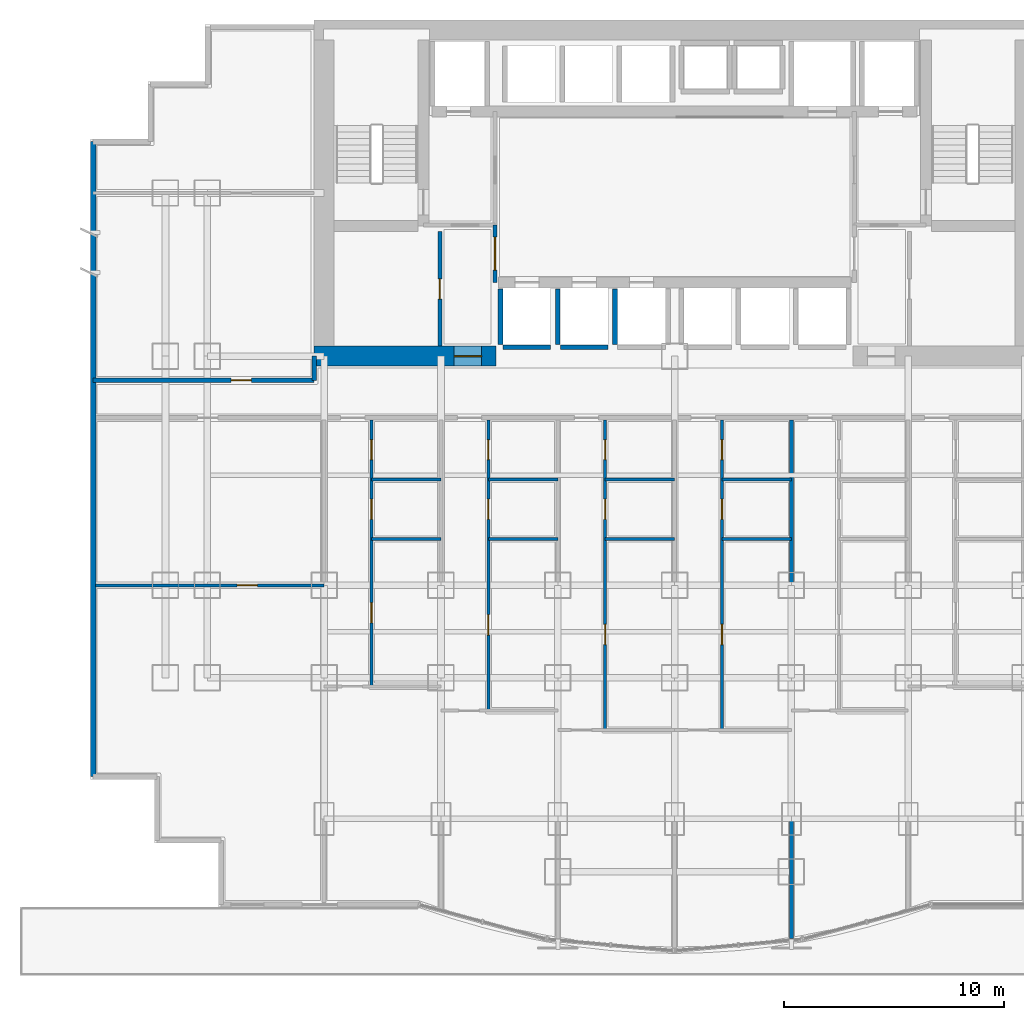
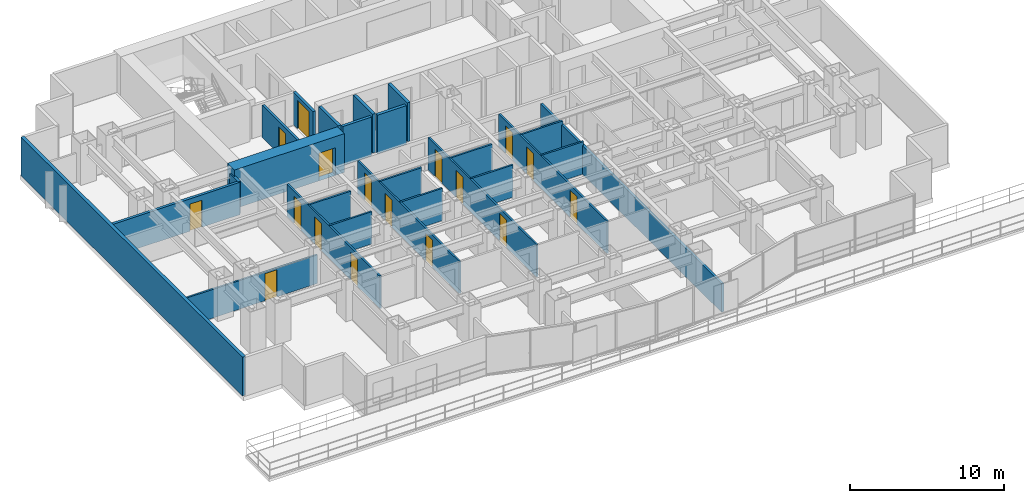
# One storey, part 5 of 11: 25 walls, 17 doors, 17 openings.
"""IFC4 building model written with IfcOpenShell, lengths in metres."""

import ifcopenshell
import ifcopenshell.guid

model = None  # the IFC model being written
_history = None  # IfcOwnerHistory: only IFC2X3 demands one
_inside = {}  # id of a spatial element -> (the spatial element, [elements in it])
_under = {}  # id of a project, library or spatial element -> (it, [spatial elements below it])
_declared = {}  # id of a project -> (the project, [libraries it declares])
_typed = {}  # id of a type object -> (the type object, [elements of that type])
_made_of = {}  # id of a material, layer set ... -> (it, [elements and type objects made of it])


def new_model(schema):
    """Start an empty IFC model of exactly this schema.

    Asked for "IFC4X3", IfcOpenShell would pick the latest addendum, in which some entities
    have other attributes; the version numbers below select the first issue.
    IFC2X3 requires an IfcOwnerHistory on every rooted entity: one is made here for all.
    """
    global model, _history
    if schema == "IFC4X3":
        model = ifcopenshell.file(schema_version=(4, 3, 0, 0))
    else:
        model = ifcopenshell.file(schema=schema)
    _inside.clear()
    _under.clear()
    _declared.clear()
    _typed.clear()
    _made_of.clear()
    _history = None
    if model.schema == "IFC2X3":
        org = make("IfcOrganization", Name="unknown")
        user = make(
            "IfcPersonAndOrganization",
            ThePerson=make("IfcPerson", FamilyName="unknown"),
            TheOrganization=org,
        )
        app = make(
            "IfcApplication",
            ApplicationDeveloper=org,
            Version="unknown",
            ApplicationFullName="unknown",
            ApplicationIdentifier="unknown",
        )
        _history = make(
            "IfcOwnerHistory",
            OwningUser=user,
            OwningApplication=app,
            ChangeAction="ADDED",
            CreationDate=0,
        )
    return model


def make(cls, **values):
    """One entity of the class cls with the attributes given. An attribute that is None is left unset."""
    return model.create_entity(
        cls, **{name: value for name, value in values.items() if value is not None}
    )


def rooted(cls, **values):
    """An entity with a GlobalId (a new one), such as an element, a storey or a relation."""
    return make(cls, GlobalId=ifcopenshell.guid.new(), OwnerHistory=_history, **values)


def si_unit(unit_type, name, prefix=None):
    """IfcSIUnit, for example si_unit("LENGTHUNIT", "METRE", prefix="MILLI")."""
    return make("IfcSIUnit", UnitType=unit_type, Prefix=prefix, Name=name)


def assignment(units):
    """IfcUnitAssignment: the units of a project."""
    return None if units is None else make("IfcUnitAssignment", Units=units)


def point(xyz):
    """IfcCartesianPoint."""
    return None if xyz is None else make("IfcCartesianPoint", Coordinates=xyz)


def direction(xyz):
    """IfcDirection."""
    return None if xyz is None else make("IfcDirection", DirectionRatios=xyz)


def frame(location, z_axis=None, x_axis=None):
    """IfcAxis2Placement3D, a coordinate frame: its origin and axes. An axis left out is left unset."""
    return make(
        "IfcAxis2Placement3D",
        Location=point(location),
        Axis=direction(z_axis),
        RefDirection=direction(x_axis),
    )


def frame_2d(location, x_axis=None):
    """IfcAxis2Placement2D, a coordinate frame in the plane: its origin and x axis."""
    return make(
        "IfcAxis2Placement2D", Location=point(location), RefDirection=direction(x_axis)
    )


def origin():
    """The frame at (0, 0, 0) with its axes left unset."""
    return frame((0.0, 0.0, 0.0))


def place(relative_to, where):
    """IfcLocalPlacement: puts the frame where relative to a parent placement (None: the world)."""
    return make(
        "IfcLocalPlacement", PlacementRelTo=relative_to, RelativePlacement=where
    )


def context(
    kind, dimensions, precision=None, world=None, true_north=None, identifier=None
):
    """IfcGeometricRepresentationContext, for example the 3D "Model" context."""
    return make(
        "IfcGeometricRepresentationContext",
        ContextIdentifier=identifier,
        ContextType=kind,
        CoordinateSpaceDimension=dimensions,
        Precision=precision,
        WorldCoordinateSystem=world,
        TrueNorth=true_north,
    )


def subcontext(parent, identifier, kind, view, scale=None):
    """IfcGeometricRepresentationSubContext, for example "Body" below "Model"."""
    return make(
        "IfcGeometricRepresentationSubContext",
        ContextIdentifier=identifier,
        ContextType=kind,
        ParentContext=parent,
        TargetScale=scale,
        TargetView=view,
    )


def project(units=None, contexts=None):
    """IfcProject with its units and contexts."""
    return rooted(
        "IfcProject",
        Name="project",
        RepresentationContexts=contexts,
        UnitsInContext=assignment(units),
    )


def spatial(cls, under=None, at=None, **own):
    """A site, building, storey or space (cls), placed at a placement, below another one or the project."""
    s = rooted(cls, ObjectPlacement=at, **own)
    if under is not None:
        _under.setdefault(under.id(), (under, []))[1].append(s)
    return s


def profile(cls, at=None, kind="AREA", **sizes):
    """A parametric profile (cls). Its sizes go by their IFC names, for example OverallWidth=200.0."""
    return make(cls, ProfileType=kind, Position=at, **sizes)


def rectangle(**sizes):
    """IfcRectangleProfileDef."""
    return profile("IfcRectangleProfileDef", **sizes)


def extrude(swept, where, along, depth):
    """IfcExtrudedAreaSolid: the profile swept, set in the frame where, extruded along a direction by depth."""
    return make(
        "IfcExtrudedAreaSolid",
        SweptArea=swept,
        Position=where,
        ExtrudedDirection=direction(along),
        Depth=depth,
    )


def shape(context_of_items, identifier, shape_type, items):
    """IfcShapeRepresentation: the items that make up one representation, for example the "Body"."""
    return make(
        "IfcShapeRepresentation",
        ContextOfItems=context_of_items,
        RepresentationIdentifier=identifier,
        RepresentationType=shape_type,
        Items=items,
    )


def material(Name=None, Category=None):
    """IfcMaterial."""
    return make("IfcMaterial", Name=Name, Category=Category)


def layer(
    of_material, thickness, ventilated=None, Name=None, Category=None, Priority=None
):
    """IfcMaterialLayer: one layer of a wall or slab, of a material (None: an air gap)."""
    return make(
        "IfcMaterialLayer",
        Material=of_material,
        LayerThickness=thickness,
        IsVentilated=ventilated,
        Name=Name,
        Category=Category,
        Priority=Priority,
    )


def layer_set(layers, Name=None):
    """IfcMaterialLayerSet."""
    return make("IfcMaterialLayerSet", MaterialLayers=layers, LayerSetName=Name)


def made_of(thing, what):
    """Note that an element or type object is made of a material, layer set ...; save() writes the relation."""
    if what is not None:
        _made_of.setdefault(what.id(), (what, []))[1].append(thing)
    return thing


def type_object(cls, material=None, **own):
    """A type object (cls), such as IfcWallType, which elements share."""
    return made_of(rooted(cls, **own), material)


def element(
    cls,
    number,
    at=None,
    inside=None,
    cuts=None,
    type_object=None,
    material=None,
    context=None,
    identifier="Body",
    shape_type=None,
    held_by="IfcProductDefinitionShape",
    body=None,
    shapes=None,
    **own,
):
    """One element of the class cls, such as IfcWall. Its Tag is "e" and its number.

    at: its placement. inside: the storey or other place that contains it. cuts: it is an
    opening in that element (IfcRelVoidsElement). A single representation is given by context,
    identifier, shape_type and body (its items); several are given by shapes. held_by: the class
    of the entity that holds the representations. save() writes the other relations.
    """
    e = rooted(cls, Tag="e%d" % number, ObjectPlacement=at, **own)
    if body is not None:
        shapes = [shape(context, identifier, shape_type, body)]
    if shapes is not None:
        e.Representation = make(held_by, Representations=shapes)
    if inside is not None:
        _inside.setdefault(inside.id(), (inside, []))[1].append(e)
    if cuts is not None:
        rooted(
            "IfcRelVoidsElement", RelatingBuildingElement=cuts, RelatedOpeningElement=e
        )
    if type_object is not None:
        _typed.setdefault(type_object.id(), (type_object, []))[1].append(e)
    return made_of(e, material)


def fill(opening, filler):
    """IfcRelFillsElement: the door or window that sits in an opening."""
    return rooted(
        "IfcRelFillsElement",
        RelatingOpeningElement=opening,
        RelatedBuildingElement=filler,
    )


def aggregate(whole, parts):
    """IfcRelAggregates: a whole, such as a stair, and the parts it consists of."""
    return rooted("IfcRelAggregates", RelatingObject=whole, RelatedObjects=parts)


def save(model, path):
    """Write the relations noted so far, then the file.

    IfcRelAggregates (storeys below a building ...), IfcRelContainedInSpatialStructure (elements
    in a storey), IfcRelDefinesByType, IfcRelAssociatesMaterial and IfcRelDeclares: one each for
    every whole, place, type object, material and project.
    """
    for whole, parts in _under.values():
        aggregate(whole, parts)
    for where, things in _inside.values():
        rooted(
            "IfcRelContainedInSpatialStructure",
            RelatedElements=things,
            RelatingStructure=where,
        )
    for kind, things in _typed.values():
        rooted("IfcRelDefinesByType", RelatedObjects=things, RelatingType=kind)
    for what, things in _made_of.values():
        rooted("IfcRelAssociatesMaterial", RelatedObjects=things, RelatingMaterial=what)
    for by, libraries in _declared.values():
        rooted("IfcRelDeclares", RelatingContext=by, RelatedDefinitions=libraries)
    model.write(path)


model = new_model("IFC4")

# Units and contexts
model_context = context("Model", 3, precision=1e-05, world=origin(), true_north=direction((0.0, 1.0)))
body_context = subcontext(model_context, "Body", "Model", "MODEL_VIEW")
ifc_project = project(units=[si_unit("LENGTHUNIT", "METRE"), si_unit("AREAUNIT", "SQUARE_METRE"), si_unit("VOLUMEUNIT", "CUBIC_METRE"), si_unit("PLANEANGLEUNIT", "RADIAN"), si_unit("MASSUNIT", "GRAM", prefix="KILO")], contexts=[model_context])

# Site, building, storey
site_placement = place(None, origin())
site = spatial("IfcSite", under=ifc_project, at=site_placement, CompositionType="ELEMENT")
building_placement = place(site_placement, origin())
building = spatial("IfcBuilding", under=site, at=building_placement, Name="Qianlan Lanfeng Residences", CompositionType="ELEMENT")
storey_placement = place(building_placement, frame((0.0, 0.0, 24.199951171875)))
storey = spatial("IfcBuildingStorey", under=building, at=storey_placement, Name="L05", CompositionType="ELEMENT", Elevation=24.199951171875)

# Wall, opening, door
ifc_material_1 = material(Name="Concrete C70", Category="concrete")
ifc_layer_1 = layer(ifc_material_1, 0.89990234375)
ifc_layer_set_1 = layer_set([ifc_layer_1], Name="Concrete C70")
wall_type_1 = type_object("IfcWallType", Name="CW-RC-900", PredefinedType="SHEAR", material=ifc_layer_set_1)
wall_1_placement = place(storey_placement, frame((10.14990234375, 25.199951171875, 0.0), z_axis=(0.0, 0.0, 1.0), x_axis=(1.0, 0.0, 0.0)))
wall_1 = element("IfcWall", 1, at=wall_1_placement, inside=storey, type_object=wall_type_1, Name="L05 Core Shear Wall SW", PredefinedType="SHEAR", context=body_context, shape_type="SweptSolid", body=[
    extrude(rectangle(XDim=8.25, YDim=0.89990234375, at=frame_2d((4.125, 0.0))), origin(), (0.0, 0.0, 1.0), 3.080078125),
])
opening_1_placement = place(wall_1_placement, frame((6.35009765625, 0.0, 0.0)))
opening_1 = element("IfcOpeningElement", 2, at=opening_1_placement, cuts=wall_1, Name="Opening L05-D01", PredefinedType="OPENING", context=body_context, shape_type="SweptSolid", body=[
    extrude(rectangle(XDim=1.25, YDim=2.199951171875, at=frame_2d((0.625, 1.10009765625))), frame((0.0, 0.4599609375, 0.0), z_axis=(0.0, -1.0, 0.0), x_axis=(1.0, 0.0, 0.0)), (0.0, 0.0, 1.0), 0.919921875),
])
ifc_material_2 = material(Name="Painted Galvanised Steel Fire Door", Category="steel")
door_type_1 = type_object("IfcDoorType", Name="DT-FFL", OperationType="NOTDEFINED", PredefinedType="DOOR", material=ifc_material_2)
door_1_placement = place(opening_1_placement, frame((1.25, 0.0, 0.0), z_axis=(0.0, 0.0, 1.0), x_axis=(-1.0, 0.0, 0.0)))
door_1 = element("IfcDoor", 3, at=door_1_placement, inside=storey, type_object=door_type_1, Name="L05 West Core Lobby Smoke Door L05-D01 (DT-FFL)", OperationType="SINGLE_SWING_RIGHT", OverallHeight=2.199951171875, OverallWidth=1.25, PredefinedType="DOOR", context=body_context, shape_type="SweptSolid", body=[
    extrude(rectangle(XDim=1.25, YDim=2.199951171875, at=frame_2d((0.625, 1.10009765625))), frame((0.0, 0.02490234375, 0.0), z_axis=(0.0, -1.0, 0.0), x_axis=(1.0, 0.0, 0.0)), (0.0, 0.0, 1.0), 0.050048828125),
])
fill(opening_1, door_1)

# Wall
ifc_material_3 = material(Name="Concrete C42", Category="concrete")
ifc_layer_2 = layer(ifc_material_3, 0.239990234375)
ifc_layer_set_2 = layer_set([ifc_layer_2], Name="Concrete C42")
wall_type_2 = type_object("IfcWallType", Name="EW-240", PredefinedType="SOLIDWALL", material=ifc_layer_set_2)
wall_2_placement = place(storey_placement, frame((0.1201171875, 34.929931640625, 0.0), z_axis=(0.0, 0.0, 1.0), x_axis=(0.0, -1.0, 0.0)))
element("IfcWall", 4, at=wall_2_placement, inside=storey, type_object=wall_type_2, Name="L05 Exterior Facade Spandrel Wall 21", PredefinedType="SOLIDWALL", context=body_context, shape_type="SweptSolid", body=[
    extrude(rectangle(XDim=28.809814453125, YDim=0.239990234375, at=frame_2d((14.40478515625, 0.0))), origin(), (0.0, 0.0, 1.0), 3.080078125),
])

# Wall, openings, doors
ifc_material_4 = material(Name="Moisture-Resistant Gypsum Partition 135 mm")
ifc_layer_3 = layer(ifc_material_4, 0.135009765625)
ifc_layer_set_3 = layer_set([ifc_layer_3], Name="Moisture-Resistant Gypsum Partition 135 mm")
wall_type_3 = type_object("IfcWallType", Name="PW-135", PredefinedType="PARTITIONING", material=ifc_layer_set_3)
wall_3_placement = place(storey_placement, frame((12.75, 10.219970703125, 0.0), z_axis=(0.0, 0.0, 1.0), x_axis=(0.0, 1.0, 0.0)))
wall_3 = element("IfcWall", 5, at=wall_3_placement, inside=storey, type_object=wall_type_3, Name="L05 U01 Entry Hall Spine", PredefinedType="PARTITIONING", context=body_context, shape_type="SweptSolid", body=[
    extrude(rectangle(XDim=12.080078125, YDim=0.135009765625, at=frame_2d((6.0400390625, 0.0))), origin(), (0.0, 0.0, 1.0), 2.570068359375),
])
opening_2_placement = place(wall_3_placement, frame((2.8798828125, 0.0, 0.0)))
opening_2 = element("IfcOpeningElement", 6, at=opening_2_placement, cuts=wall_3, Name="Opening L05-D15", PredefinedType="OPENING", context=body_context, shape_type="SweptSolid", body=[
    extrude(rectangle(XDim=0.919921875, YDim=2.14990234375, at=frame_2d((0.4599609375, 1.074951171875))), frame((0.0, 0.07763671875, 0.0), z_axis=(0.0, -1.0, 0.0), x_axis=(1.0, 0.0, 0.0)), (0.0, 0.0, 1.0), 0.155029296875),
])
opening_3_placement = place(wall_3_placement, frame((7.570068359375, 0.0, 0.0)))
opening_3 = element("IfcOpeningElement", 7, at=opening_3_placement, cuts=wall_3, Name="Opening L05-D16", PredefinedType="OPENING", context=body_context, shape_type="SweptSolid", body=[
    extrude(rectangle(XDim=0.919921875, YDim=2.14990234375, at=frame_2d((0.4599609375, 1.074951171875))), frame((0.0, 0.07763671875, 0.0), z_axis=(0.0, -1.0, 0.0), x_axis=(1.0, 0.0, 0.0)), (0.0, 0.0, 1.0), 0.155029296875),
])
opening_4_placement = place(wall_3_placement, frame((10.280029296875, 0.0, 0.0)))
opening_4 = element("IfcOpeningElement", 8, at=opening_4_placement, cuts=wall_3, Name="Opening L05-D17", PredefinedType="OPENING", context=body_context, shape_type="SweptSolid", body=[
    extrude(rectangle(XDim=0.89990234375, YDim=2.14990234375, at=frame_2d((0.449951171875, 1.074951171875))), frame((0.0, 0.07763671875, 0.0), z_axis=(0.0, -1.0, 0.0), x_axis=(1.0, 0.0, 0.0)), (0.0, 0.0, 1.0), 0.155029296875),
])
ifc_material_5 = material(Name="Glazed Timber Kitchen/Study Door", Category="wood")
door_type_2 = type_object("IfcDoorType", Name="DT-INT", OperationType="NOTDEFINED", PredefinedType="DOOR", material=ifc_material_5)
door_2_placement = place(opening_2_placement, origin())
door_2 = element("IfcDoor", 9, at=door_2_placement, inside=storey, type_object=door_type_2, Name="L05 U01 Study Door L05-D15 (DT-INT)", OperationType="SINGLE_SWING_RIGHT", OverallHeight=2.14990234375, OverallWidth=0.919921875, PredefinedType="DOOR", context=body_context, shape_type="SweptSolid", body=[
    extrude(rectangle(XDim=0.919921875, YDim=2.14990234375, at=frame_2d((0.4599609375, 1.074951171875))), frame((0.0, 0.02490234375, 0.0), z_axis=(0.0, -1.0, 0.0), x_axis=(1.0, 0.0, 0.0)), (0.0, 0.0, 1.0), 0.050048828125),
])
fill(opening_2, door_2)
door_3_placement = place(opening_3_placement, origin())
door_3 = element("IfcDoor", 10, at=door_3_placement, inside=storey, type_object=door_type_2, Name="L05 U01 Kitchen Door L05-D16 (DT-INT)", OperationType="SINGLE_SWING_LEFT", OverallHeight=2.14990234375, OverallWidth=0.919921875, PredefinedType="DOOR", context=body_context, shape_type="SweptSolid", body=[
    extrude(rectangle(XDim=0.919921875, YDim=2.14990234375, at=frame_2d((0.4599609375, 1.074951171875))), frame((0.0, 0.02490234375, 0.0), z_axis=(0.0, -1.0, 0.0), x_axis=(1.0, 0.0, 0.0)), (0.0, 0.0, 1.0), 0.050048828125),
])
fill(opening_3, door_3)
ifc_material_6 = material(Name="Moisture-Resistant Timber Leaf", Category="wood")
door_type_3 = type_object("IfcDoorType", Name="DT-WC", OperationType="NOTDEFINED", PredefinedType="DOOR", material=ifc_material_6)
door_4_placement = place(opening_4_placement, origin())
door_4 = element("IfcDoor", 11, at=door_4_placement, inside=storey, type_object=door_type_3, Name="L05 U01 Bathroom Door L05-D17 (DT-WC)", OperationType="SINGLE_SWING_RIGHT", OverallHeight=2.14990234375, OverallWidth=0.89990234375, PredefinedType="DOOR", context=body_context, shape_type="SweptSolid", body=[
    extrude(rectangle(XDim=0.89990234375, YDim=2.14990234375, at=frame_2d((0.449951171875, 1.074951171875))), frame((0.0, 0.02490234375, 0.0), z_axis=(0.0, -1.0, 0.0), x_axis=(1.0, 0.0, 0.0)), (0.0, 0.0, 1.0), 0.050048828125),
])
fill(opening_4, door_4)

# Walls
for number, where, z_axis, x_axis, name in (
    (12, (12.75, 16.89990234375, 0.0), (0.0, 0.0, 1.0), (1.0, 0.0, 0.0), "L05 U01 Kitchen South Wall"),
    (13, (12.75, 19.60009765625, 0.0), (0.0, 0.0, 1.0), (1.0, 0.0, 0.0), "L05 U01 Bathroom South Wall"),
):
    element("IfcWall", number, at=place(storey_placement, frame(where, z_axis=z_axis, x_axis=x_axis)), inside=storey, type_object=wall_type_3, Name=name, PredefinedType="PARTITIONING", context=body_context, shape_type="SweptSolid", body=[
        extrude(rectangle(XDim=3.14990234375, YDim=0.135009765625, at=frame_2d((1.574951171875, 0.0))), origin(), (0.0, 0.0, 1.0), 2.570068359375),
    ])

# Wall, openings, doors
wall_4_placement = place(storey_placement, frame((18.050048828125, 9.112060546875, 0.0), z_axis=(0.0, 0.0, 1.0), x_axis=(0.0, 1.0, 0.0)))
wall_4 = element("IfcWall", 14, at=wall_4_placement, inside=storey, type_object=wall_type_3, Name="L05 U02 Entry Hall Spine", PredefinedType="PARTITIONING", context=body_context, shape_type="SweptSolid", body=[
    extrude(rectangle(XDim=13.18798828125, YDim=0.135009765625, at=frame_2d((6.593994140625, 0.0))), origin(), (0.0, 0.0, 1.0), 2.570068359375),
])
opening_5_placement = place(wall_4_placement, frame((3.43408203125, 0.0, 0.0)))
opening_5 = element("IfcOpeningElement", 15, at=opening_5_placement, cuts=wall_4, Name="Opening L05-D20", PredefinedType="OPENING", context=body_context, shape_type="SweptSolid", body=[
    extrude(rectangle(XDim=0.919921875, YDim=2.14990234375, at=frame_2d((0.4599609375, 1.074951171875))), frame((0.0, 0.07763671875, 0.0), z_axis=(0.0, -1.0, 0.0), x_axis=(1.0, 0.0, 0.0)), (0.0, 0.0, 1.0), 0.155029296875),
])
opening_6_placement = place(wall_4_placement, frame((8.677978515625, 0.0, 0.0)))
opening_6 = element("IfcOpeningElement", 16, at=opening_6_placement, cuts=wall_4, Name="Opening L05-D21", PredefinedType="OPENING", context=body_context, shape_type="SweptSolid", body=[
    extrude(rectangle(XDim=0.919921875, YDim=2.14990234375, at=frame_2d((0.4599609375, 1.074951171875))), frame((0.0, 0.07763671875, 0.0), z_axis=(0.0, -1.0, 0.0), x_axis=(1.0, 0.0, 0.0)), (0.0, 0.0, 1.0), 0.155029296875),
])
opening_7_placement = place(wall_4_placement, frame((11.387939453125, 0.0, 0.0)))
opening_7 = element("IfcOpeningElement", 17, at=opening_7_placement, cuts=wall_4, Name="Opening L05-D22", PredefinedType="OPENING", context=body_context, shape_type="SweptSolid", body=[
    extrude(rectangle(XDim=0.89990234375, YDim=2.14990234375, at=frame_2d((0.449951171875, 1.074951171875))), frame((0.0, 0.07763671875, 0.0), z_axis=(0.0, -1.0, 0.0), x_axis=(1.0, 0.0, 0.0)), (0.0, 0.0, 1.0), 0.155029296875),
])
door_5_placement = place(opening_5_placement, origin())
door_5 = element("IfcDoor", 18, at=door_5_placement, inside=storey, type_object=door_type_2, Name="L05 U02 Study Door L05-D20 (DT-INT)", OperationType="SINGLE_SWING_LEFT", OverallHeight=2.14990234375, OverallWidth=0.919921875, PredefinedType="DOOR", context=body_context, shape_type="SweptSolid", body=[
    extrude(rectangle(XDim=0.919921875, YDim=2.14990234375, at=frame_2d((0.4599609375, 1.074951171875))), frame((0.0, 0.02490234375, 0.0), z_axis=(0.0, -1.0, 0.0), x_axis=(1.0, 0.0, 0.0)), (0.0, 0.0, 1.0), 0.050048828125),
])
fill(opening_5, door_5)
door_6_placement = place(opening_6_placement, origin())
door_6 = element("IfcDoor", 19, at=door_6_placement, inside=storey, type_object=door_type_2, Name="L05 U02 Kitchen Door L05-D21 (DT-INT)", OperationType="SINGLE_SWING_RIGHT", OverallHeight=2.14990234375, OverallWidth=0.919921875, PredefinedType="DOOR", context=body_context, shape_type="SweptSolid", body=[
    extrude(rectangle(XDim=0.919921875, YDim=2.14990234375, at=frame_2d((0.4599609375, 1.074951171875))), frame((0.0, 0.02490234375, 0.0), z_axis=(0.0, -1.0, 0.0), x_axis=(1.0, 0.0, 0.0)), (0.0, 0.0, 1.0), 0.050048828125),
])
fill(opening_6, door_6)
door_7_placement = place(opening_7_placement, origin())
door_7 = element("IfcDoor", 20, at=door_7_placement, inside=storey, type_object=door_type_3, Name="L05 U02 Bathroom Door L05-D22 (DT-WC)", OperationType="SINGLE_SWING_LEFT", OverallHeight=2.14990234375, OverallWidth=0.89990234375, PredefinedType="DOOR", context=body_context, shape_type="SweptSolid", body=[
    extrude(rectangle(XDim=0.89990234375, YDim=2.14990234375, at=frame_2d((0.449951171875, 1.074951171875))), frame((0.0, 0.02490234375, 0.0), z_axis=(0.0, -1.0, 0.0), x_axis=(1.0, 0.0, 0.0)), (0.0, 0.0, 1.0), 0.050048828125),
])
fill(opening_7, door_7)

# Walls
for number, where, z_axis, x_axis, name in (
    (21, (18.050048828125, 16.89990234375, 0.0), (0.0, 0.0, 1.0), (1.0, 0.0, 0.0), "L05 U02 Kitchen South Wall"),
    (22, (18.050048828125, 19.60009765625, 0.0), (0.0, 0.0, 1.0), (1.0, 0.0, 0.0), "L05 U02 Bathroom South Wall"),
):
    element("IfcWall", number, at=place(storey_placement, frame(where, z_axis=z_axis, x_axis=x_axis)), inside=storey, type_object=wall_type_3, Name=name, PredefinedType="PARTITIONING", context=body_context, shape_type="SweptSolid", body=[
        extrude(rectangle(XDim=3.14990234375, YDim=0.135009765625, at=frame_2d((1.574951171875, 0.0))), origin(), (0.0, 0.0, 1.0), 2.570068359375),
    ])

# Wall, openings, doors
wall_5_placement = place(storey_placement, frame((23.35009765625, 8.23388671875, 0.0), z_axis=(0.0, 0.0, 1.0), x_axis=(0.0, 1.0, 0.0)))
wall_5 = element("IfcWall", 23, at=wall_5_placement, inside=storey, type_object=wall_type_3, Name="L05 U03 Entry Hall Spine", PredefinedType="PARTITIONING", context=body_context, shape_type="SweptSolid", body=[
    extrude(rectangle(XDim=14.066162109375, YDim=0.135009765625, at=frame_2d((7.033203125, 0.0))), origin(), (0.0, 0.0, 1.0), 2.570068359375),
])
opening_8_placement = place(wall_5_placement, frame((3.873046875, 0.0, 0.0)))
opening_8 = element("IfcOpeningElement", 24, at=opening_8_placement, cuts=wall_5, Name="Opening L05-D25", PredefinedType="OPENING", context=body_context, shape_type="SweptSolid", body=[
    extrude(rectangle(XDim=0.919921875, YDim=2.14990234375, at=frame_2d((0.4599609375, 1.074951171875))), frame((0.0, 0.07763671875, 0.0), z_axis=(0.0, -1.0, 0.0), x_axis=(1.0, 0.0, 0.0)), (0.0, 0.0, 1.0), 0.155029296875),
])
opening_9_placement = place(wall_5_placement, frame((9.555908203125, 0.0, 0.0)))
opening_9 = element("IfcOpeningElement", 25, at=opening_9_placement, cuts=wall_5, Name="Opening L05-D26", PredefinedType="OPENING", context=body_context, shape_type="SweptSolid", body=[
    extrude(rectangle(XDim=0.919921875, YDim=2.14990234375, at=frame_2d((0.4599609375, 1.074951171875))), frame((0.0, 0.07763671875, 0.0), z_axis=(0.0, -1.0, 0.0), x_axis=(1.0, 0.0, 0.0)), (0.0, 0.0, 1.0), 0.155029296875),
])
opening_10_placement = place(wall_5_placement, frame((12.26611328125, 0.0, 0.0)))
opening_10 = element("IfcOpeningElement", 26, at=opening_10_placement, cuts=wall_5, Name="Opening L05-D27", PredefinedType="OPENING", context=body_context, shape_type="SweptSolid", body=[
    extrude(rectangle(XDim=0.89990234375, YDim=2.14990234375, at=frame_2d((0.449951171875, 1.074951171875))), frame((0.0, 0.07763671875, 0.0), z_axis=(0.0, -1.0, 0.0), x_axis=(1.0, 0.0, 0.0)), (0.0, 0.0, 1.0), 0.155029296875),
])
door_8_placement = place(opening_8_placement, origin())
door_8 = element("IfcDoor", 27, at=door_8_placement, inside=storey, type_object=door_type_2, Name="L05 U03 Study Door L05-D25 (DT-INT)", OperationType="SINGLE_SWING_RIGHT", OverallHeight=2.14990234375, OverallWidth=0.919921875, PredefinedType="DOOR", context=body_context, shape_type="SweptSolid", body=[
    extrude(rectangle(XDim=0.919921875, YDim=2.14990234375, at=frame_2d((0.4599609375, 1.074951171875))), frame((0.0, 0.02490234375, 0.0), z_axis=(0.0, -1.0, 0.0), x_axis=(1.0, 0.0, 0.0)), (0.0, 0.0, 1.0), 0.050048828125),
])
fill(opening_8, door_8)
door_9_placement = place(opening_9_placement, origin())
door_9 = element("IfcDoor", 28, at=door_9_placement, inside=storey, type_object=door_type_2, Name="L05 U03 Kitchen Door L05-D26 (DT-INT)", OperationType="SINGLE_SWING_LEFT", OverallHeight=2.14990234375, OverallWidth=0.919921875, PredefinedType="DOOR", context=body_context, shape_type="SweptSolid", body=[
    extrude(rectangle(XDim=0.919921875, YDim=2.14990234375, at=frame_2d((0.4599609375, 1.074951171875))), frame((0.0, 0.02490234375, 0.0), z_axis=(0.0, -1.0, 0.0), x_axis=(1.0, 0.0, 0.0)), (0.0, 0.0, 1.0), 0.050048828125),
])
fill(opening_9, door_9)
door_10_placement = place(opening_10_placement, origin())
door_10 = element("IfcDoor", 29, at=door_10_placement, inside=storey, type_object=door_type_3, Name="L05 U03 Bathroom Door L05-D27 (DT-WC)", OperationType="SINGLE_SWING_RIGHT", OverallHeight=2.14990234375, OverallWidth=0.89990234375, PredefinedType="DOOR", context=body_context, shape_type="SweptSolid", body=[
    extrude(rectangle(XDim=0.89990234375, YDim=2.14990234375, at=frame_2d((0.449951171875, 1.074951171875))), frame((0.0, 0.02490234375, 0.0), z_axis=(0.0, -1.0, 0.0), x_axis=(1.0, 0.0, 0.0)), (0.0, 0.0, 1.0), 0.050048828125),
])
fill(opening_10, door_10)

# Walls
for number, where, z_axis, x_axis, name in (
    (30, (23.35009765625, 16.89990234375, 0.0), (0.0, 0.0, 1.0), (1.0, 0.0, 0.0), "L05 U03 Kitchen South Wall"),
    (31, (23.35009765625, 19.60009765625, 0.0), (0.0, 0.0, 1.0), (1.0, 0.0, 0.0), "L05 U03 Bathroom South Wall"),
):
    element("IfcWall", number, at=place(storey_placement, frame(where, z_axis=z_axis, x_axis=x_axis)), inside=storey, type_object=wall_type_3, Name=name, PredefinedType="PARTITIONING", context=body_context, shape_type="SweptSolid", body=[
        extrude(rectangle(XDim=3.14990234375, YDim=0.135009765625, at=frame_2d((1.574951171875, 0.0))), origin(), (0.0, 0.0, 1.0), 2.570068359375),
    ])

# Wall, openings, doors
wall_6_placement = place(storey_placement, frame((28.64990234375, 8.23388671875, 0.0), z_axis=(0.0, 0.0, 1.0), x_axis=(0.0, 1.0, 0.0)))
wall_6 = element("IfcWall", 32, at=wall_6_placement, inside=storey, type_object=wall_type_3, Name="L05 U04 Entry Hall Spine", PredefinedType="PARTITIONING", context=body_context, shape_type="SweptSolid", body=[
    extrude(rectangle(XDim=14.066162109375, YDim=0.135009765625, at=frame_2d((7.033203125, 0.0))), origin(), (0.0, 0.0, 1.0), 2.570068359375),
])
opening_11_placement = place(wall_6_placement, frame((3.873046875, 0.0, 0.0)))
opening_11 = element("IfcOpeningElement", 33, at=opening_11_placement, cuts=wall_6, Name="Opening L05-D30", PredefinedType="OPENING", context=body_context, shape_type="SweptSolid", body=[
    extrude(rectangle(XDim=0.919921875, YDim=2.14990234375, at=frame_2d((0.4599609375, 1.074951171875))), frame((0.0, 0.07763671875, 0.0), z_axis=(0.0, -1.0, 0.0), x_axis=(1.0, 0.0, 0.0)), (0.0, 0.0, 1.0), 0.155029296875),
])
opening_12_placement = place(wall_6_placement, frame((9.555908203125, 0.0, 0.0)))
opening_12 = element("IfcOpeningElement", 34, at=opening_12_placement, cuts=wall_6, Name="Opening L05-D31", PredefinedType="OPENING", context=body_context, shape_type="SweptSolid", body=[
    extrude(rectangle(XDim=0.919921875, YDim=2.14990234375, at=frame_2d((0.4599609375, 1.074951171875))), frame((0.0, 0.07763671875, 0.0), z_axis=(0.0, -1.0, 0.0), x_axis=(1.0, 0.0, 0.0)), (0.0, 0.0, 1.0), 0.155029296875),
])
opening_13_placement = place(wall_6_placement, frame((12.26611328125, 0.0, 0.0)))
opening_13 = element("IfcOpeningElement", 35, at=opening_13_placement, cuts=wall_6, Name="Opening L05-D32", PredefinedType="OPENING", context=body_context, shape_type="SweptSolid", body=[
    extrude(rectangle(XDim=0.89990234375, YDim=2.14990234375, at=frame_2d((0.449951171875, 1.074951171875))), frame((0.0, 0.07763671875, 0.0), z_axis=(0.0, -1.0, 0.0), x_axis=(1.0, 0.0, 0.0)), (0.0, 0.0, 1.0), 0.155029296875),
])
door_11_placement = place(opening_11_placement, origin())
door_11 = element("IfcDoor", 36, at=door_11_placement, inside=storey, type_object=door_type_2, Name="L05 U04 Study Door L05-D30 (DT-INT)", OperationType="SINGLE_SWING_LEFT", OverallHeight=2.14990234375, OverallWidth=0.919921875, PredefinedType="DOOR", context=body_context, shape_type="SweptSolid", body=[
    extrude(rectangle(XDim=0.919921875, YDim=2.14990234375, at=frame_2d((0.4599609375, 1.074951171875))), frame((0.0, 0.02490234375, 0.0), z_axis=(0.0, -1.0, 0.0), x_axis=(1.0, 0.0, 0.0)), (0.0, 0.0, 1.0), 0.050048828125),
])
fill(opening_11, door_11)
door_12_placement = place(opening_12_placement, origin())
door_12 = element("IfcDoor", 37, at=door_12_placement, inside=storey, type_object=door_type_2, Name="L05 U04 Kitchen Door L05-D31 (DT-INT)", OperationType="SINGLE_SWING_RIGHT", OverallHeight=2.14990234375, OverallWidth=0.919921875, PredefinedType="DOOR", context=body_context, shape_type="SweptSolid", body=[
    extrude(rectangle(XDim=0.919921875, YDim=2.14990234375, at=frame_2d((0.4599609375, 1.074951171875))), frame((0.0, 0.02490234375, 0.0), z_axis=(0.0, -1.0, 0.0), x_axis=(1.0, 0.0, 0.0)), (0.0, 0.0, 1.0), 0.050048828125),
])
fill(opening_12, door_12)
door_13_placement = place(opening_13_placement, origin())
door_13 = element("IfcDoor", 38, at=door_13_placement, inside=storey, type_object=door_type_3, Name="L05 U04 Bathroom Door L05-D32 (DT-WC)", OperationType="SINGLE_SWING_LEFT", OverallHeight=2.14990234375, OverallWidth=0.89990234375, PredefinedType="DOOR", context=body_context, shape_type="SweptSolid", body=[
    extrude(rectangle(XDim=0.89990234375, YDim=2.14990234375, at=frame_2d((0.449951171875, 1.074951171875))), frame((0.0, 0.02490234375, 0.0), z_axis=(0.0, -1.0, 0.0), x_axis=(1.0, 0.0, 0.0)), (0.0, 0.0, 1.0), 0.050048828125),
])
fill(opening_13, door_13)

# Walls
for number, where, z_axis, x_axis, name in (
    (39, (28.64990234375, 16.89990234375, 0.0), (0.0, 0.0, 1.0), (1.0, 0.0, 0.0), "L05 U04 Kitchen South Wall"),
    (40, (28.64990234375, 19.60009765625, 0.0), (0.0, 0.0, 1.0), (1.0, 0.0, 0.0), "L05 U04 Bathroom South Wall"),
):
    element("IfcWall", number, at=place(storey_placement, frame(where, z_axis=z_axis, x_axis=x_axis)), inside=storey, type_object=wall_type_3, Name=name, PredefinedType="PARTITIONING", context=body_context, shape_type="SweptSolid", body=[
        extrude(rectangle(XDim=3.150146484375, YDim=0.135009765625, at=frame_2d((1.5751953125, 0.0))), origin(), (0.0, 0.0, 1.0), 2.570068359375),
    ])

# Wall, opening, door
wall_7_placement = place(storey_placement, frame((0.219970703125, 14.800048828125, 0.0), z_axis=(0.0, 0.0, 1.0), x_axis=(1.0, 0.0, 0.0)))
wall_7 = element("IfcWall", 41, at=wall_7_placement, inside=storey, type_object=wall_type_3, Name="L05 SWP Mid Partition", PredefinedType="PARTITIONING", context=body_context, shape_type="SweptSolid", body=[
    extrude(rectangle(XDim=10.380126953125, YDim=0.135009765625, at=frame_2d((5.18994140625, 0.0))), origin(), (0.0, 0.0, 1.0), 2.275146484375),
])
opening_14_placement = place(wall_7_placement, frame((6.429931640625, 0.0, 0.0)))
opening_14 = element("IfcOpeningElement", 42, at=opening_14_placement, cuts=wall_7, Name="Opening L05-D43", PredefinedType="OPENING", context=body_context, shape_type="SweptSolid", body=[
    extrude(rectangle(XDim=0.919921875, YDim=2.14990234375, at=frame_2d((0.4599609375, 1.074951171875))), frame((0.0, 0.07763671875, 0.0), z_axis=(0.0, -1.0, 0.0), x_axis=(1.0, 0.0, 0.0)), (0.0, 0.0, 1.0), 0.155029296875),
])
door_14_placement = place(opening_14_placement, origin())
door_14 = element("IfcDoor", 43, at=door_14_placement, inside=storey, type_object=door_type_2, Name="L05 SWP Inner Door L05-D43 (DT-INT)", OperationType="SINGLE_SWING_RIGHT", OverallHeight=2.14990234375, OverallWidth=0.919921875, PredefinedType="DOOR", context=body_context, shape_type="SweptSolid", body=[
    extrude(rectangle(XDim=0.919921875, YDim=2.14990234375, at=frame_2d((0.4599609375, 1.074951171875))), frame((0.0, 0.02490234375, 0.0), z_axis=(0.0, -1.0, 0.0), x_axis=(1.0, 0.0, 0.0)), (0.0, 0.0, 1.0), 0.050048828125),
])
fill(opening_14, door_14)

ifc_material_7 = material(Name="Double-Layer Acoustic Gypsum Stud Wall 180 mm")
ifc_layer_4 = layer(ifc_material_7, 0.179931640625)
ifc_layer_set_4 = layer_set([ifc_layer_4], Name="Double-Layer Acoustic Gypsum Stud Wall 180 mm")
wall_type_4 = type_object("IfcWallType", Name="PW-180", PredefinedType="PARTITIONING", material=ifc_layer_set_4)
wall_8_placement = place(storey_placement, frame((15.85009765625, 25.64990234375, 0.0), z_axis=(0.0, 0.0, 1.0), x_axis=(0.0, 1.0, 0.0)))
wall_8 = element("IfcWall", 44, at=wall_8_placement, inside=storey, type_object=wall_type_4, Name="L05 Core West Service Room Wall", PredefinedType="PARTITIONING", context=body_context, shape_type="SweptSolid", body=[
    extrude(rectangle(XDim=5.2001953125, YDim=0.179931640625, at=frame_2d((2.60009765625, 0.0))), origin(), (0.0, 0.0, 1.0), 2.570068359375),
])
opening_15_placement = place(wall_8_placement, frame((2.139892578125, 0.0, 0.0)))
opening_15 = element("IfcOpeningElement", 45, at=opening_15_placement, cuts=wall_8, Name="Opening L05-D09", PredefinedType="OPENING", context=body_context, shape_type="SweptSolid", body=[
    extrude(rectangle(XDim=0.919921875, YDim=2.14990234375, at=frame_2d((0.4599609375, 1.074951171875))), frame((0.0, 0.10009765625, 0.0), z_axis=(0.0, -1.0, 0.0), x_axis=(1.0, 0.0, 0.0)), (0.0, 0.0, 1.0), 0.199951171875),
])
door_15_placement = place(opening_15_placement, origin())
door_15 = element("IfcDoor", 46, at=door_15_placement, inside=storey, type_object=door_type_2, Name="L05 Core Storage Door L05-D09 (DT-INT)", OperationType="SINGLE_SWING_RIGHT", OverallHeight=2.14990234375, OverallWidth=0.919921875, PredefinedType="DOOR", context=body_context, shape_type="SweptSolid", body=[
    extrude(rectangle(XDim=0.919921875, YDim=2.14990234375, at=frame_2d((0.4599609375, 1.074951171875))), frame((0.0, 0.02490234375, 0.0), z_axis=(0.0, -1.0, 0.0), x_axis=(1.0, 0.0, 0.0)), (0.0, 0.0, 1.0), 0.050048828125),
])
fill(opening_15, door_15)

# Wall
wall_9_placement = place(storey_placement, frame((31.800048828125, -1.235107421875, 0.0), z_axis=(0.0, 0.0, 1.0), x_axis=(0.0, 1.0, 0.0)))
element("IfcWall", 47, at=wall_9_placement, inside=storey, type_object=wall_type_4, Name="L05 Inter-Tenancy Party Wall 5", PredefinedType="PARTITIONING", context=body_context, shape_type="SweptSolid", body=[
    extrude(rectangle(XDim=23.53515625, YDim=0.179931640625, at=frame_2d((11.767578125, 0.0))), origin(), (0.0, 0.0, 1.0), 2.275146484375),
])

# Wall, opening, door
ifc_material_8 = material(Name="Autoclaved Aerated Concrete Blockwork 200 mm", Category="masonry")
ifc_layer_5 = layer(ifc_material_8, 0.199951171875)
ifc_layer_set_5 = layer_set([ifc_layer_5], Name="Autoclaved Aerated Concrete Blockwork 200 mm")
wall_type_5 = type_object("IfcWallType", Name="PW-200", PredefinedType="PARTITIONING", material=ifc_layer_set_5)
wall_10_placement = place(storey_placement, frame((18.35009765625, 28.550048828125, 0.0), z_axis=(0.0, 0.0, 1.0), x_axis=(0.0, 1.0, 0.0)))
wall_10 = element("IfcWall", 48, at=wall_10_placement, inside=storey, type_object=wall_type_5, Name="L05 Lift Lobby West Connector Wall", PredefinedType="PARTITIONING", context=body_context, shape_type="SweptSolid", body=[
    extrude(rectangle(XDim=2.599853515625, YDim=0.199951171875, at=frame_2d((1.2998046875, 0.0))), origin(), (0.0, 0.0, 1.0), 2.570068359375),
])
opening_16_placement = place(wall_10_placement, frame((0.550048828125, 0.0, 0.0)))
opening_16 = element("IfcOpeningElement", 49, at=opening_16_placement, cuts=wall_10, Name="Opening L05-D11", PredefinedType="OPENING", context=body_context, shape_type="SweptSolid", body=[
    extrude(rectangle(XDim=1.5, YDim=2.25, at=frame_2d((0.75, 1.125))), frame((0.0, 0.10986328125, 0.0), z_axis=(0.0, -1.0, 0.0), x_axis=(1.0, 0.0, 0.0)), (0.0, 0.0, 1.0), 0.219970703125),
])
ifc_material_9 = material(Name="Timber Veneer Acoustic Fire Door", Category="wood")
door_type_4 = type_object("IfcDoorType", Name="DT-COR1", OperationType="NOTDEFINED", PredefinedType="DOOR", material=ifc_material_9)
door_16_placement = place(opening_16_placement, origin())
door_16 = element("IfcDoor", 50, at=door_16_placement, inside=storey, type_object=door_type_4, Name="L05 Lift Lobby West Portal Door L05-D11 (DT-COR1)", OperationType="DOUBLE_DOOR_SINGLE_SWING", OverallHeight=2.25, OverallWidth=1.5, PredefinedType="DOOR", context=body_context, shape_type="SweptSolid", body=[
    extrude(rectangle(XDim=1.5, YDim=2.25, at=frame_2d((0.75, 1.125))), frame((0.0, 0.02490234375, 0.0), z_axis=(0.0, -1.0, 0.0), x_axis=(1.0, 0.0, 0.0)), (0.0, 0.0, 1.0), 0.050048828125),
])
fill(opening_16, door_16)

wall_11_placement = place(storey_placement, frame((0.1201171875, 24.10009765625, 0.0), z_axis=(0.0, 0.0, 1.0), x_axis=(1.0, 0.0, 0.0)))
wall_11 = element("IfcWall", 51, at=wall_11_placement, inside=storey, type_object=wall_type_5, Name="L05 Corridor NW Wall", PredefinedType="PARTITIONING", context=body_context, shape_type="SweptSolid", body=[
    extrude(rectangle(XDim=10.02978515625, YDim=0.199951171875, at=frame_2d((5.014892578125, 0.0))), origin(), (0.0, 0.0, 1.0), 2.570068359375),
])
opening_17_placement = place(wall_11_placement, frame((6.2548828125, 0.0, 0.0)))
opening_17 = element("IfcOpeningElement", 52, at=opening_17_placement, cuts=wall_11, Name="Opening L05-D48", PredefinedType="OPENING", context=body_context, shape_type="SweptSolid", body=[
    extrude(rectangle(XDim=0.919921875, YDim=2.14990234375, at=frame_2d((0.4599609375, 1.074951171875))), frame((0.0, 0.10986328125, 0.0), z_axis=(0.0, -1.0, 0.0), x_axis=(1.0, 0.0, 0.0)), (0.0, 0.0, 1.0), 0.219970703125),
])
door_17_placement = place(opening_17_placement, origin())
door_17 = element("IfcDoor", 53, at=door_17_placement, inside=storey, type_object=door_type_2, Name="L05 WW Amenity Salon Door L05-D48 (DT-INT)", OperationType="SINGLE_SWING_RIGHT", OverallHeight=2.14990234375, OverallWidth=0.919921875, PredefinedType="DOOR", context=body_context, shape_type="SweptSolid", body=[
    extrude(rectangle(XDim=0.919921875, YDim=2.14990234375, at=frame_2d((0.4599609375, 1.074951171875))), frame((0.0, 0.02490234375, 0.0), z_axis=(0.0, -1.0, 0.0), x_axis=(1.0, 0.0, 0.0)), (0.0, 0.0, 1.0), 0.050048828125),
])
fill(opening_17, door_17)

# Walls
wall_12_placement = place(storey_placement, frame((10.14990234375, 24.10009765625, 0.0), z_axis=(0.0, 0.0, 1.0), x_axis=(0.0, 1.0, 0.0)))
element("IfcWall", 54, at=wall_12_placement, inside=storey, type_object=wall_type_5, Name="L05 NW Wing Core Return Wall", PredefinedType="PARTITIONING", context=body_context, shape_type="SweptSolid", body=[
    extrude(rectangle(XDim=1.099853515625, YDim=0.199951171875, at=frame_2d((0.5498046875, 0.0))), origin(), (0.0, 0.0, 1.0), 2.570068359375),
])
ifc_material_10 = material(Name="Concrete C49", Category="concrete")
ifc_layer_6 = layer(ifc_material_10, 0.219970703125)
ifc_layer_set_6 = layer_set([ifc_layer_6], Name="Concrete C49")
wall_type_6 = type_object("IfcWallType", Name="SHW-220", PredefinedType="SOLIDWALL", material=ifc_layer_set_6)
wall_13_placement = place(storey_placement, frame((18.60009765625, 25.719970703125, 0.0), z_axis=(0.0, 0.0, 1.0), x_axis=(0.0, 1.0, 0.0)))
element("IfcWall", 55, at=wall_13_placement, inside=storey, type_object=wall_type_6, Name="L05 Lift PL-L1 Shaft Wall W", PredefinedType="SOLIDWALL", context=body_context, shape_type="SweptSolid", body=[
    extrude(rectangle(XDim=2.530029296875, YDim=0.219970703125, at=frame_2d((1.26513671875, 0.0))), origin(), (0.0, 0.0, 1.0), 3.080078125),
])
wall_14_placement = place(storey_placement, frame((18.719970703125, 25.60009765625, 0.0), z_axis=(0.0, 0.0, 1.0), x_axis=(1.0, 0.0, 0.0)))
element("IfcWall", 56, at=wall_14_placement, inside=storey, type_object=wall_type_6, Name="L05 Lift PL-L1 Shaft Back Wall S", PredefinedType="SOLIDWALL", context=body_context, shape_type="SweptSolid", body=[
    extrude(rectangle(XDim=2.159912109375, YDim=0.219970703125, at=frame_2d((1.080078125, 0.0))), origin(), (0.0, 0.0, 1.0), 3.080078125),
])
wall_15_placement = place(storey_placement, frame((21.199951171875, 25.719970703125, 0.0), z_axis=(0.0, 0.0, 1.0), x_axis=(0.0, 1.0, 0.0)))
element("IfcWall", 57, at=wall_15_placement, inside=storey, type_object=wall_type_6, Name="L05 Lift PL-L2 Shaft Wall W", PredefinedType="SOLIDWALL", context=body_context, shape_type="SweptSolid", body=[
    extrude(rectangle(XDim=2.530029296875, YDim=0.219970703125, at=frame_2d((1.26513671875, 0.0))), origin(), (0.0, 0.0, 1.0), 3.080078125),
])
wall_16_placement = place(storey_placement, frame((21.320068359375, 25.60009765625, 0.0), z_axis=(0.0, 0.0, 1.0), x_axis=(1.0, 0.0, 0.0)))
element("IfcWall", 58, at=wall_16_placement, inside=storey, type_object=wall_type_6, Name="L05 Lift PL-L2 Shaft Back Wall S", PredefinedType="SOLIDWALL", context=body_context, shape_type="SweptSolid", body=[
    extrude(rectangle(XDim=2.159912109375, YDim=0.219970703125, at=frame_2d((1.080078125, 0.0))), origin(), (0.0, 0.0, 1.0), 3.080078125),
])
wall_17_placement = place(storey_placement, frame((23.800048828125, 25.719970703125, 0.0), z_axis=(0.0, 0.0, 1.0), x_axis=(0.0, 1.0, 0.0)))
element("IfcWall", 59, at=wall_17_placement, inside=storey, type_object=wall_type_6, Name="L05 Lift PL-L3 Shaft Wall W", PredefinedType="SOLIDWALL", context=body_context, shape_type="SweptSolid", body=[
    extrude(rectangle(XDim=2.530029296875, YDim=0.219970703125, at=frame_2d((1.26513671875, 0.0))), origin(), (0.0, 0.0, 1.0), 3.080078125),
])

save(model, "model.ifc")
